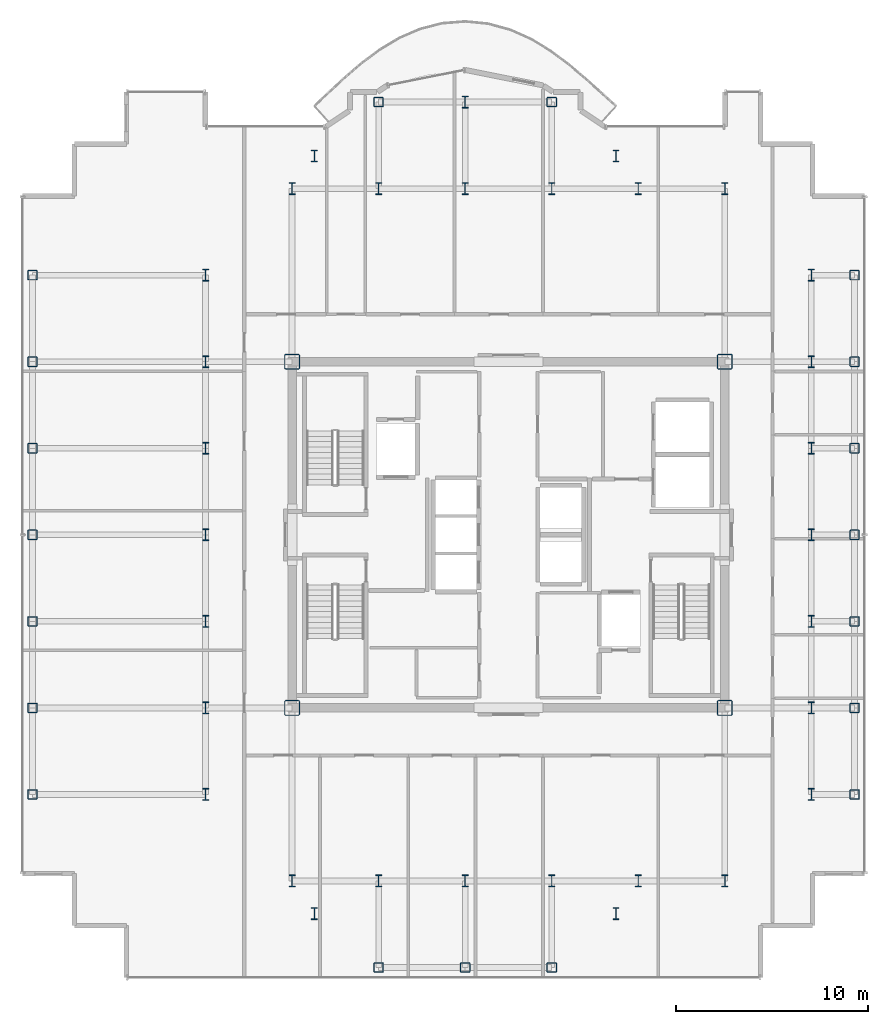
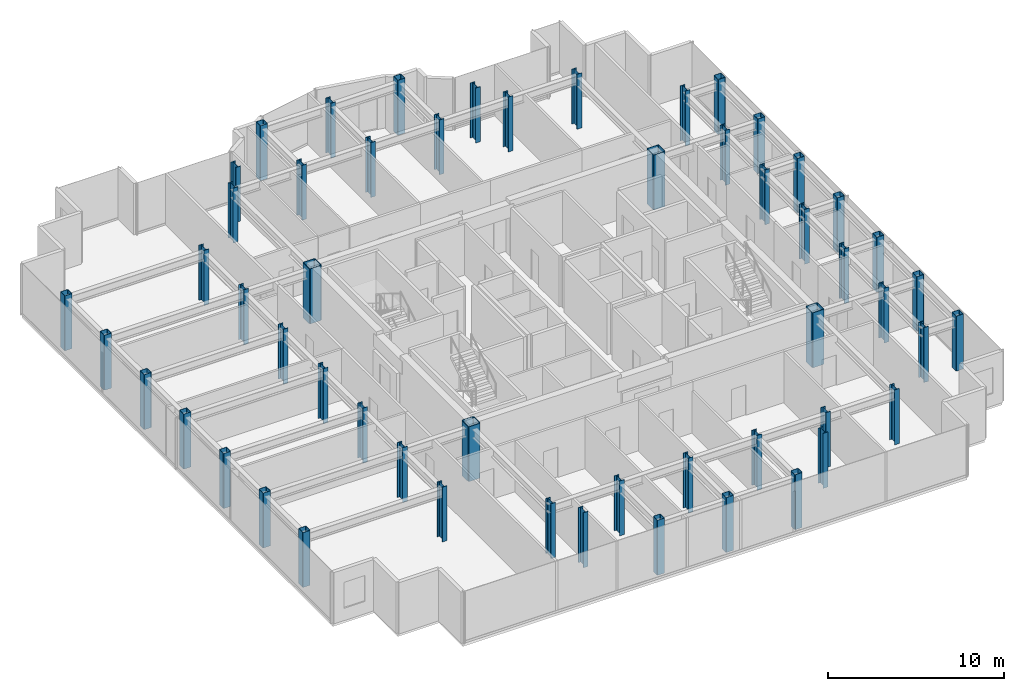
# One storey, part 1 of 18: 54 columns.
"""IFC4 building model written with IfcOpenShell, lengths in metres."""

from ifc_helpers import new_model, si_unit, direction, frame, origin, origin_2d, place, context, subcontext, project, spatial, hollow_rectangle, i_section, extrude, source, transform, mapped, material, material_profile, profile_set, type_object, element, save


model = new_model("IFC4")

# Units and contexts
model_context = context("Model", 3, precision=1e-05, world=origin(), true_north=direction((0.0, 1.0)))
body_context = subcontext(model_context, "Body", "Model", "MODEL_VIEW")
ifc_project = project(units=[si_unit("LENGTHUNIT", "METRE"), si_unit("AREAUNIT", "SQUARE_METRE"), si_unit("VOLUMEUNIT", "CUBIC_METRE"), si_unit("PLANEANGLEUNIT", "RADIAN"), si_unit("MASSUNIT", "GRAM", prefix="KILO")], contexts=[model_context])

# Site, building, storey
site_placement = place(None, origin())
site = spatial("IfcSite", under=ifc_project, at=site_placement, CompositionType="ELEMENT")
building_placement = place(site_placement, origin())
building = spatial("IfcBuilding", under=site, at=building_placement, Name="Nefas-Gora Pilgrimage Tower", CompositionType="ELEMENT")
storey_placement = place(building_placement, frame((0.0, 0.0, 291.199951171875)))
storey = spatial("IfcBuildingStorey", under=building, at=storey_placement, Name="L73", CompositionType="ELEMENT", Elevation=291.199951171875)

# Columns
ifc_material_1 = material(Name="Steel S460", Category="steel")
ifc_material_profile_1 = material_profile(ifc_material_1, hollow_rectangle(XDim=0.800048828125, YDim=0.800048828125, WallThickness=0.0400390625, InnerFilletRadius=0.0400390625, OuterFilletRadius=0.080078125, at=origin_2d()), Name="BOX 800x800x40")
ifc_profile_set_1 = profile_set([ifc_material_profile_1], Name="Steel S460")
column_type_1 = type_object("IfcColumnType", Name="COL-CORE-800", PredefinedType="COLUMN", material=ifc_profile_set_1)
shared_shape_1 = source(origin(), body_context, "Body", "SweptSolid", [
    extrude(hollow_rectangle(XDim=0.800048828125, YDim=0.800048828125, WallThickness=0.0400390625, InnerFilletRadius=0.0400390625, OuterFilletRadius=0.080078125, at=origin_2d()), origin(), (0.0, 0.0, 1.0), 3.800048828125),
])
for number, where, z_axis, x_axis, name in (
    (1, (-11.25, -9.0, 0.0), (0.0, 0.0, 1.0), (1.0, 0.0, 0.0), "L73 Tower Column CC-Z2.16"),
    (2, (-11.25, 9.0, 0.0), (0.0, 0.0, 1.0), (1.0, 0.0, 0.0), "L73 Tower Column CC-Z2.17"),
    (3, (11.25, -9.0, 0.0), (0.0, 0.0, 1.0), (1.0, 0.0, 0.0), "L73 Tower Column CC-Z2.38"),
    (4, (11.25, 9.0, 0.0), (0.0, 0.0, 1.0), (1.0, 0.0, 0.0), "L73 Tower Column CC-Z2.39"),
):
    element("IfcColumn", number, at=place(storey_placement, frame(where, z_axis=z_axis, x_axis=x_axis)), inside=storey, type_object=column_type_1, Name=name, PredefinedType="COLUMN", context=body_context, shape_type="MappedRepresentation", body=[
        mapped(shared_shape_1, transform((0.0, 0.0, 0.0), x_axis=(1.0, 0.0, 0.0), y_axis=(0.0, 1.0, 0.0), z_axis=(0.0, 0.0, 1.0), scale=1.0)),
    ])
ifc_material_2 = material(Name="Steel S355", Category="steel")
ifc_material_profile_2 = material_profile(ifc_material_2, i_section(OverallWidth=0.304931640625, OverallDepth=0.6201171875, WebThickness=0.02099609375, FlangeThickness=0.0400390625, FilletRadius=0.027099609375, at=origin_2d()), Name="HEM 600")
ifc_profile_set_2 = profile_set([ifc_material_profile_2], Name="Steel S355")
column_type_2 = type_object("IfcColumnType", Name="COL-WEB-HEM600", PredefinedType="COLUMN", material=ifc_profile_set_2)
shared_shape_2 = source(origin(), body_context, "Body", "SweptSolid", [
    extrude(i_section(OverallWidth=0.304931640625, OverallDepth=0.6201171875, WebThickness=0.02099609375, FlangeThickness=0.0400390625, FilletRadius=0.027099609375, at=origin_2d()), origin(), (0.0, 0.0, 1.0), 3.800048828125),
])
for number, where, z_axis, x_axis, name in (
    (5, (-15.75, -13.5, 0.0), (0.0, 0.0, 1.0), (1.0, 0.0, 0.0), "L73 Tower Column CW-03.8"),
    (6, (-15.75, -9.0, 0.0), (0.0, 0.0, 1.0), (1.0, 0.0, 0.0), "L73 Tower Column CW-03.9"),
    (7, (-15.75, -4.5, 0.0), (0.0, 0.0, 1.0), (1.0, 0.0, 0.0), "L73 Tower Column CW-03.10"),
    (8, (-15.75, 0.0, 0.0), (0.0, 0.0, 1.0), (1.0, 0.0, 0.0), "L73 Tower Column CW-03.11"),
    (9, (-15.75, 4.5, 0.0), (0.0, 0.0, 1.0), (1.0, 0.0, 0.0), "L73 Tower Column CW-03.12"),
    (10, (-15.75, 9.0, 0.0), (0.0, 0.0, 1.0), (1.0, 0.0, 0.0), "L73 Tower Column CW-03.13"),
    (11, (-15.75, 13.5, 0.0), (0.0, 0.0, 1.0), (1.0, 0.0, 0.0), "L73 Tower Column CW-03.14"),
    (12, (-11.25, -18.0, 0.0), (0.0, 0.0, 1.0), (1.0, 0.0, 0.0), "L73 Tower Column CW-03.15"),
    (13, (-11.25, 18.0, 0.0), (0.0, 0.0, 1.0), (1.0, 0.0, 0.0), "L73 Tower Column CW-03.18"),
    (14, (-10.091064453125, -19.696044921875, 0.0), (0.0, 0.0, 1.0), (1.0, 0.0, 0.0), "L73 Tower Column CW-03.19"),
    (15, (-10.091064453125, 19.696044921875, 0.0), (0.0, 0.0, 1.0), (1.0, 0.0, 0.0), "L73 Tower Column CW-03.20"),
    (16, (-6.75, -18.0, 0.0), (0.0, 0.0, 1.0), (1.0, 0.0, 0.0), "L73 Tower Column CW-03.22"),
    (17, (-6.75, 18.0, 0.0), (0.0, 0.0, 1.0), (1.0, 0.0, 0.0), "L73 Tower Column CW-03.23"),
    (18, (-2.25, -18.0, 0.0), (0.0, 0.0, 1.0), (1.0, 0.0, 0.0), "L73 Tower Column CW-03.26"),
    (19, (-2.25, 18.0, 0.0), (0.0, 0.0, 1.0), (1.0, 0.0, 0.0), "L73 Tower Column CW-03.27"),
    (20, (-2.25, 22.5, 0.0), (0.0, 0.0, 1.0), (1.0, 0.0, 0.0), "L73 Tower Column CW-03.28"),
    (21, (2.25, -18.0, 0.0), (0.0, 0.0, 1.0), (1.0, 0.0, 0.0), "L73 Tower Column CW-03.30"),
    (22, (2.25, 18.0, 0.0), (0.0, 0.0, 1.0), (1.0, 0.0, 0.0), "L73 Tower Column CW-03.31"),
    (23, (5.591064453125, -19.696044921875, 0.0), (0.0, 0.0, 1.0), (1.0, 0.0, 0.0), "L73 Tower Column CW-03.33"),
    (24, (5.591064453125, 19.696044921875, 0.0), (0.0, 0.0, 1.0), (1.0, 0.0, 0.0), "L73 Tower Column CW-03.34"),
    (25, (6.75, -18.0, 0.0), (0.0, 0.0, 1.0), (1.0, 0.0, 0.0), "L73 Tower Column CW-03.35"),
    (26, (6.75, 18.0, 0.0), (0.0, 0.0, 1.0), (1.0, 0.0, 0.0), "L73 Tower Column CW-03.36"),
    (27, (11.25, -18.0, 0.0), (0.0, 0.0, 1.0), (1.0, 0.0, 0.0), "L73 Tower Column CW-03.37"),
    (28, (11.25, 18.0, 0.0), (0.0, 0.0, 1.0), (1.0, 0.0, 0.0), "L73 Tower Column CW-03.40"),
    (29, (15.75, -13.5, 0.0), (0.0, 0.0, 1.0), (1.0, 0.0, 0.0), "L73 Tower Column CW-03.41"),
    (30, (15.75, -9.0, 0.0), (0.0, 0.0, 1.0), (1.0, 0.0, 0.0), "L73 Tower Column CW-03.42"),
    (31, (15.75, -4.5, 0.0), (0.0, 0.0, 1.0), (1.0, 0.0, 0.0), "L73 Tower Column CW-03.43"),
    (32, (15.75, 0.0, 0.0), (0.0, 0.0, 1.0), (1.0, 0.0, 0.0), "L73 Tower Column CW-03.44"),
    (33, (15.75, 4.5, 0.0), (0.0, 0.0, 1.0), (1.0, 0.0, 0.0), "L73 Tower Column CW-03.45"),
    (34, (15.75, 9.0, 0.0), (0.0, 0.0, 1.0), (1.0, 0.0, 0.0), "L73 Tower Column CW-03.46"),
    (35, (15.75, 13.5, 0.0), (0.0, 0.0, 1.0), (1.0, 0.0, 0.0), "L73 Tower Column CW-03.47"),
):
    element("IfcColumn", number, at=place(storey_placement, frame(where, z_axis=z_axis, x_axis=x_axis)), inside=storey, type_object=column_type_2, Name=name, PredefinedType="COLUMN", context=body_context, shape_type="MappedRepresentation", body=[
        mapped(shared_shape_2, transform((0.0, 0.0, 0.0), x_axis=(1.0, 0.0, 0.0), y_axis=(0.0, 1.0, 0.0), z_axis=(0.0, 0.0, 1.0), scale=1.0)),
    ])
ifc_material_profile_3 = material_profile(ifc_material_2, hollow_rectangle(XDim=0.5, YDim=0.5, WallThickness=0.02490234375, InnerFilletRadius=0.02490234375, OuterFilletRadius=0.050048828125, at=origin_2d()), Name="SHS 500x500x25")
ifc_profile_set_3 = profile_set([ifc_material_profile_3], Name="Steel S355")
column_type_3 = type_object("IfcColumnType", Name="COL-TUBE-500", PredefinedType="COLUMN", material=ifc_profile_set_3)
shared_shape_3 = source(origin(), body_context, "Body", "SweptSolid", [
    extrude(hollow_rectangle(XDim=0.5, YDim=0.5, WallThickness=0.02490234375, InnerFilletRadius=0.02490234375, OuterFilletRadius=0.050048828125, at=origin_2d()), origin(), (0.0, 0.0, 1.0), 3.800048828125),
])
for number, where, z_axis, x_axis, name in (
    (36, (-24.75, -13.5, 0.0), (0.0, 0.0, 1.0), (1.0, 0.0, 0.0), "L73 Tower Column C-Z4.1"),
    (37, (-24.75, -9.0, 0.0), (0.0, 0.0, 1.0), (1.0, 0.0, 0.0), "L73 Tower Column C-Z4.2"),
    (38, (-24.75, -4.5, 0.0), (0.0, 0.0, 1.0), (1.0, 0.0, 0.0), "L73 Tower Column C-Z4.3"),
    (39, (-24.75, 0.0, 0.0), (0.0, 0.0, 1.0), (1.0, 0.0, 0.0), "L73 Tower Column C-Z4.4"),
    (40, (-24.75, 4.5, 0.0), (0.0, 0.0, 1.0), (1.0, 0.0, 0.0), "L73 Tower Column C-Z4.5"),
    (41, (-24.75, 9.0, 0.0), (0.0, 0.0, 1.0), (1.0, 0.0, 0.0), "L73 Tower Column C-Z4.6"),
    (42, (-24.75, 13.5, 0.0), (0.0, 0.0, 1.0), (1.0, 0.0, 0.0), "L73 Tower Column C-Z4.7"),
    (43, (-6.75, -22.5, 0.0), (0.0, 0.0, 1.0), (1.0, 0.0, 0.0), "L73 Tower Column C-Z4.21"),
    (44, (-6.75, 22.5, 0.0), (0.0, 0.0, 1.0), (1.0, 0.0, 0.0), "L73 Tower Column C-Z4.24"),
    (45, (-2.25, -22.5, 0.0), (0.0, 0.0, 1.0), (1.0, 0.0, 0.0), "L73 Tower Column C-Z4.25"),
    (46, (2.25, -22.5, 0.0), (0.0, 0.0, 1.0), (1.0, 0.0, 0.0), "L73 Tower Column C-Z4.29"),
    (47, (2.25, 22.5, 0.0), (0.0, 0.0, 1.0), (1.0, 0.0, 0.0), "L73 Tower Column C-Z4.32"),
    (48, (18.0, -13.5, 0.0), (0.0, 0.0, 1.0), (1.0, 0.0, 0.0), "L73 Tower Column C-Z4.48"),
    (49, (18.0, -9.0, 0.0), (0.0, 0.0, 1.0), (1.0, 0.0, 0.0), "L73 Tower Column C-Z4.49"),
    (50, (18.0, -4.5, 0.0), (0.0, 0.0, 1.0), (1.0, 0.0, 0.0), "L73 Tower Column C-Z4.50"),
    (51, (18.0, 0.0, 0.0), (0.0, 0.0, 1.0), (1.0, 0.0, 0.0), "L73 Tower Column C-Z4.51"),
    (52, (18.0, 4.5, 0.0), (0.0, 0.0, 1.0), (1.0, 0.0, 0.0), "L73 Tower Column C-Z4.52"),
    (53, (18.0, 9.0, 0.0), (0.0, 0.0, 1.0), (1.0, 0.0, 0.0), "L73 Tower Column C-Z4.53"),
    (54, (18.0, 13.5, 0.0), (0.0, 0.0, 1.0), (1.0, 0.0, 0.0), "L73 Tower Column C-Z4.54"),
):
    element("IfcColumn", number, at=place(storey_placement, frame(where, z_axis=z_axis, x_axis=x_axis)), inside=storey, type_object=column_type_3, Name=name, PredefinedType="COLUMN", context=body_context, shape_type="MappedRepresentation", body=[
        mapped(shared_shape_3, transform((0.0, 0.0, 0.0), x_axis=(1.0, 0.0, 0.0), y_axis=(0.0, 1.0, 0.0), z_axis=(0.0, 0.0, 1.0), scale=1.0)),
    ])

save(model, "model.ifc")
